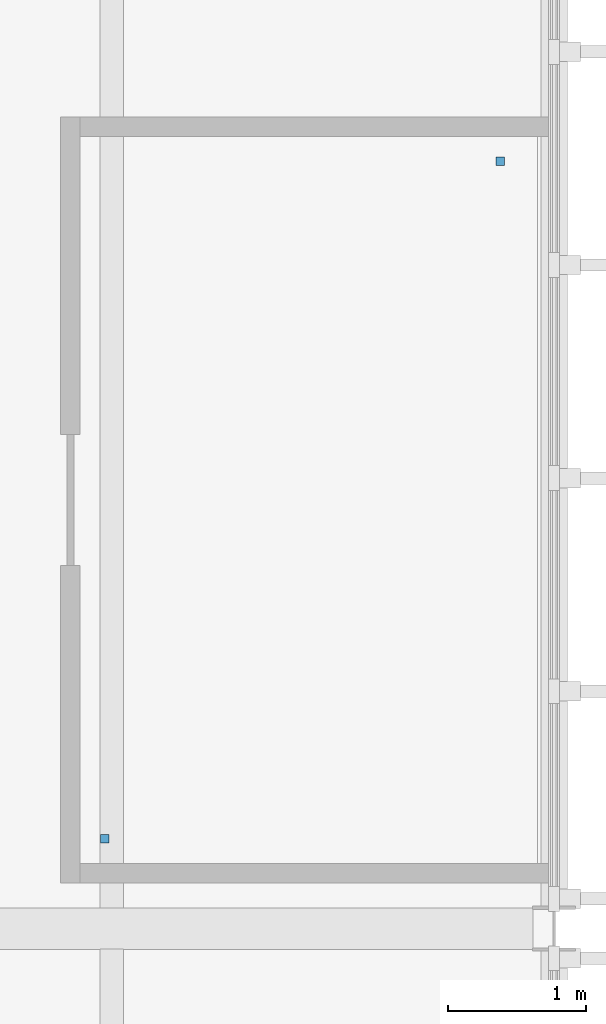
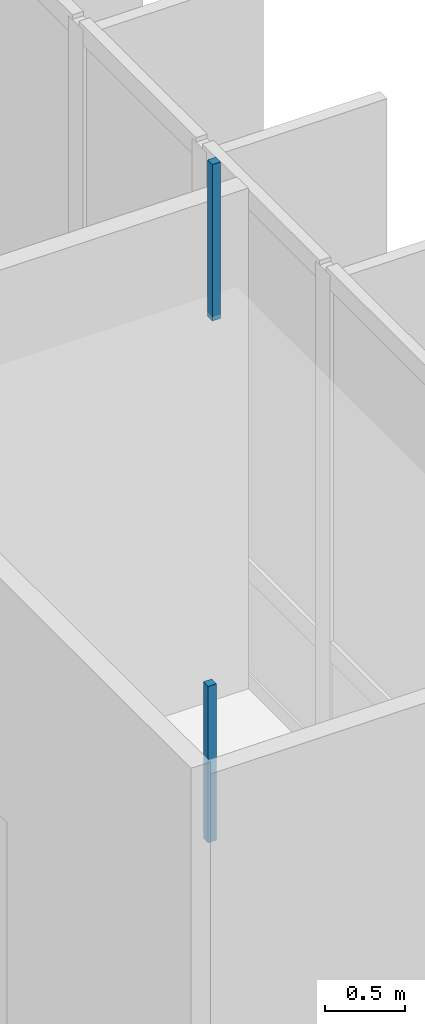
# One storey, part 81 of 107: 2 discrete accessories.
"""IFC4 building model written with IfcOpenShell, lengths in metres."""

import ifcopenshell
import ifcopenshell.guid

model = None  # the IFC model being written
_history = None  # IfcOwnerHistory: only IFC2X3 demands one
_inside = {}  # id of a spatial element -> (the spatial element, [elements in it])
_under = {}  # id of a project, library or spatial element -> (it, [spatial elements below it])
_declared = {}  # id of a project -> (the project, [libraries it declares])
_typed = {}  # id of a type object -> (the type object, [elements of that type])
_made_of = {}  # id of a material, layer set ... -> (it, [elements and type objects made of it])


def new_model(schema):
    """Start an empty IFC model of exactly this schema.

    Asked for "IFC4X3", IfcOpenShell would pick the latest addendum, in which some entities
    have other attributes; the version numbers below select the first issue.
    IFC2X3 requires an IfcOwnerHistory on every rooted entity: one is made here for all.
    """
    global model, _history
    if schema == "IFC4X3":
        model = ifcopenshell.file(schema_version=(4, 3, 0, 0))
    else:
        model = ifcopenshell.file(schema=schema)
    _inside.clear()
    _under.clear()
    _declared.clear()
    _typed.clear()
    _made_of.clear()
    _history = None
    if model.schema == "IFC2X3":
        org = make("IfcOrganization", Name="unknown")
        user = make(
            "IfcPersonAndOrganization",
            ThePerson=make("IfcPerson", FamilyName="unknown"),
            TheOrganization=org,
        )
        app = make(
            "IfcApplication",
            ApplicationDeveloper=org,
            Version="unknown",
            ApplicationFullName="unknown",
            ApplicationIdentifier="unknown",
        )
        _history = make(
            "IfcOwnerHistory",
            OwningUser=user,
            OwningApplication=app,
            ChangeAction="ADDED",
            CreationDate=0,
        )
    return model


def make(cls, **values):
    """One entity of the class cls with the attributes given. An attribute that is None is left unset."""
    return model.create_entity(
        cls, **{name: value for name, value in values.items() if value is not None}
    )


def rooted(cls, **values):
    """An entity with a GlobalId (a new one), such as an element, a storey or a relation."""
    return make(cls, GlobalId=ifcopenshell.guid.new(), OwnerHistory=_history, **values)


def si_unit(unit_type, name, prefix=None):
    """IfcSIUnit, for example si_unit("LENGTHUNIT", "METRE", prefix="MILLI")."""
    return make("IfcSIUnit", UnitType=unit_type, Prefix=prefix, Name=name)


def assignment(units):
    """IfcUnitAssignment: the units of a project."""
    return None if units is None else make("IfcUnitAssignment", Units=units)


def point(xyz):
    """IfcCartesianPoint."""
    return None if xyz is None else make("IfcCartesianPoint", Coordinates=xyz)


def direction(xyz):
    """IfcDirection."""
    return None if xyz is None else make("IfcDirection", DirectionRatios=xyz)


def frame(location, z_axis=None, x_axis=None):
    """IfcAxis2Placement3D, a coordinate frame: its origin and axes. An axis left out is left unset."""
    return make(
        "IfcAxis2Placement3D",
        Location=point(location),
        Axis=direction(z_axis),
        RefDirection=direction(x_axis),
    )


def origin():
    """The frame at (0, 0, 0) with its axes left unset."""
    return frame((0.0, 0.0, 0.0))


def place(relative_to, where):
    """IfcLocalPlacement: puts the frame where relative to a parent placement (None: the world)."""
    return make(
        "IfcLocalPlacement", PlacementRelTo=relative_to, RelativePlacement=where
    )


def context(
    kind, dimensions, precision=None, world=None, true_north=None, identifier=None
):
    """IfcGeometricRepresentationContext, for example the 3D "Model" context."""
    return make(
        "IfcGeometricRepresentationContext",
        ContextIdentifier=identifier,
        ContextType=kind,
        CoordinateSpaceDimension=dimensions,
        Precision=precision,
        WorldCoordinateSystem=world,
        TrueNorth=true_north,
    )


def subcontext(parent, identifier, kind, view, scale=None):
    """IfcGeometricRepresentationSubContext, for example "Body" below "Model"."""
    return make(
        "IfcGeometricRepresentationSubContext",
        ContextIdentifier=identifier,
        ContextType=kind,
        ParentContext=parent,
        TargetScale=scale,
        TargetView=view,
    )


def project(units=None, contexts=None):
    """IfcProject with its units and contexts."""
    return rooted(
        "IfcProject",
        Name="project",
        RepresentationContexts=contexts,
        UnitsInContext=assignment(units),
    )


def spatial(cls, under=None, at=None, **own):
    """A site, building, storey or space (cls), placed at a placement, below another one or the project."""
    s = rooted(cls, ObjectPlacement=at, **own)
    if under is not None:
        _under.setdefault(under.id(), (under, []))[1].append(s)
    return s


def polyline(points):
    """IfcPolyline through the points."""
    return make("IfcPolyline", Points=[point(p) for p in points])


def outline(outer, holes=None, kind="AREA"):
    """IfcArbitraryClosedProfileDef: a profile drawn as a closed curve; with holes, ...WithVoids."""
    if holes is None:
        return make("IfcArbitraryClosedProfileDef", ProfileType=kind, OuterCurve=outer)
    return make(
        "IfcArbitraryProfileDefWithVoids",
        ProfileType=kind,
        OuterCurve=outer,
        InnerCurves=holes,
    )


def extrude(swept, where, along, depth):
    """IfcExtrudedAreaSolid: the profile swept, set in the frame where, extruded along a direction by depth."""
    return make(
        "IfcExtrudedAreaSolid",
        SweptArea=swept,
        Position=where,
        ExtrudedDirection=direction(along),
        Depth=depth,
    )


def shape(context_of_items, identifier, shape_type, items):
    """IfcShapeRepresentation: the items that make up one representation, for example the "Body"."""
    return make(
        "IfcShapeRepresentation",
        ContextOfItems=context_of_items,
        RepresentationIdentifier=identifier,
        RepresentationType=shape_type,
        Items=items,
    )


def material(Name=None, Category=None):
    """IfcMaterial."""
    return make("IfcMaterial", Name=Name, Category=Category)


def made_of(thing, what):
    """Note that an element or type object is made of a material, layer set ...; save() writes the relation."""
    if what is not None:
        _made_of.setdefault(what.id(), (what, []))[1].append(thing)
    return thing


def type_object(cls, material=None, **own):
    """A type object (cls), such as IfcWallType, which elements share."""
    return made_of(rooted(cls, **own), material)


def element(
    cls,
    number,
    at=None,
    inside=None,
    cuts=None,
    type_object=None,
    material=None,
    context=None,
    identifier="Body",
    shape_type=None,
    held_by="IfcProductDefinitionShape",
    body=None,
    shapes=None,
    **own,
):
    """One element of the class cls, such as IfcWall. Its Tag is "e" and its number.

    at: its placement. inside: the storey or other place that contains it. cuts: it is an
    opening in that element (IfcRelVoidsElement). A single representation is given by context,
    identifier, shape_type and body (its items); several are given by shapes. held_by: the class
    of the entity that holds the representations. save() writes the other relations.
    """
    e = rooted(cls, Tag="e%d" % number, ObjectPlacement=at, **own)
    if body is not None:
        shapes = [shape(context, identifier, shape_type, body)]
    if shapes is not None:
        e.Representation = make(held_by, Representations=shapes)
    if inside is not None:
        _inside.setdefault(inside.id(), (inside, []))[1].append(e)
    if cuts is not None:
        rooted(
            "IfcRelVoidsElement", RelatingBuildingElement=cuts, RelatedOpeningElement=e
        )
    if type_object is not None:
        _typed.setdefault(type_object.id(), (type_object, []))[1].append(e)
    return made_of(e, material)


def aggregate(whole, parts):
    """IfcRelAggregates: a whole, such as a stair, and the parts it consists of."""
    return rooted("IfcRelAggregates", RelatingObject=whole, RelatedObjects=parts)


def save(model, path):
    """Write the relations noted so far, then the file.

    IfcRelAggregates (storeys below a building ...), IfcRelContainedInSpatialStructure (elements
    in a storey), IfcRelDefinesByType, IfcRelAssociatesMaterial and IfcRelDeclares: one each for
    every whole, place, type object, material and project.
    """
    for whole, parts in _under.values():
        aggregate(whole, parts)
    for where, things in _inside.values():
        rooted(
            "IfcRelContainedInSpatialStructure",
            RelatedElements=things,
            RelatingStructure=where,
        )
    for kind, things in _typed.values():
        rooted("IfcRelDefinesByType", RelatedObjects=things, RelatingType=kind)
    for what, things in _made_of.values():
        rooted("IfcRelAssociatesMaterial", RelatedObjects=things, RelatingMaterial=what)
    for by, libraries in _declared.values():
        rooted("IfcRelDeclares", RelatingContext=by, RelatedDefinitions=libraries)
    model.write(path)


model = new_model("IFC4")

# Units and contexts
model_context = context("Model", 3, precision=1e-05, world=origin(), true_north=direction((0.0, 1.0)))
body_context = subcontext(model_context, "Body", "Model", "MODEL_VIEW")
ifc_project = project(units=[si_unit("LENGTHUNIT", "METRE"), si_unit("AREAUNIT", "SQUARE_METRE"), si_unit("VOLUMEUNIT", "CUBIC_METRE"), si_unit("PLANEANGLEUNIT", "RADIAN"), si_unit("MASSUNIT", "GRAM", prefix="KILO")], contexts=[model_context])

# Site, building, storey
site_placement = place(None, origin())
site = spatial("IfcSite", under=ifc_project, at=site_placement, CompositionType="ELEMENT")
building_placement = place(site_placement, origin())
building = spatial("IfcBuilding", under=site, at=building_placement, Name="Dunescarp Central Library", CompositionType="ELEMENT")
storey_placement = place(building_placement, frame((0.0, 0.0, 5.10009765625)))
storey = spatial("IfcBuildingStorey", under=building, at=storey_placement, Name="L01", CompositionType="ELEMENT", Elevation=5.10009765625)

# Discrete accessories
ifc_material = material(Name="Stainless steel Grade 316L", Category="steel")
discrete_accessory_type = type_object("IfcDiscreteAccessoryType", Name="ARC-ACC-BRK", PredefinedType="BRACKET", material=ifc_material)
discrete_accessory_1_placement = place(storey_placement, frame((0.0, 0.0, 3.059814453125)))
element("IfcDiscreteAccessory", 1, at=discrete_accessory_1_placement, inside=storey, type_object=discrete_accessory_type, Name="L01 ceiling hanger CLG-L01-127-H1", PredefinedType="BRACKET", context=body_context, shape_type="SweptSolid", body=[
    extrude(outline(polyline([(25.52001953125, 71.02001953125), (25.580078125, 71.02001953125), (25.580078125, 71.080078125), (25.52001953125, 71.080078125), (25.52001953125, 71.02001953125)])), origin(), (0.0, 0.0, 1.0), 1.190185546875),
])
discrete_accessory_2_placement = place(storey_placement, frame((0.0, 0.0, 3.059814453125)))
element("IfcDiscreteAccessory", 2, at=discrete_accessory_2_placement, inside=storey, type_object=discrete_accessory_type, Name="L01 ceiling hanger CLG-L01-127-H2", PredefinedType="BRACKET", context=body_context, shape_type="SweptSolid", body=[
    extrude(outline(polyline([(28.3798828125, 75.919921875), (28.43994140625, 75.919921875), (28.43994140625, 75.97998046875), (28.3798828125, 75.97998046875), (28.3798828125, 75.919921875)])), origin(), (0.0, 0.0, 1.0), 1.190185546875),
])

save(model, "model.ifc")
